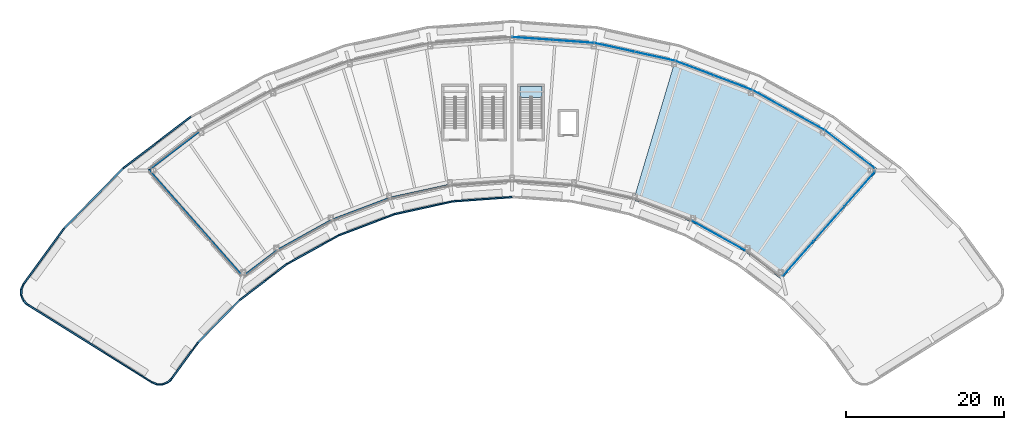
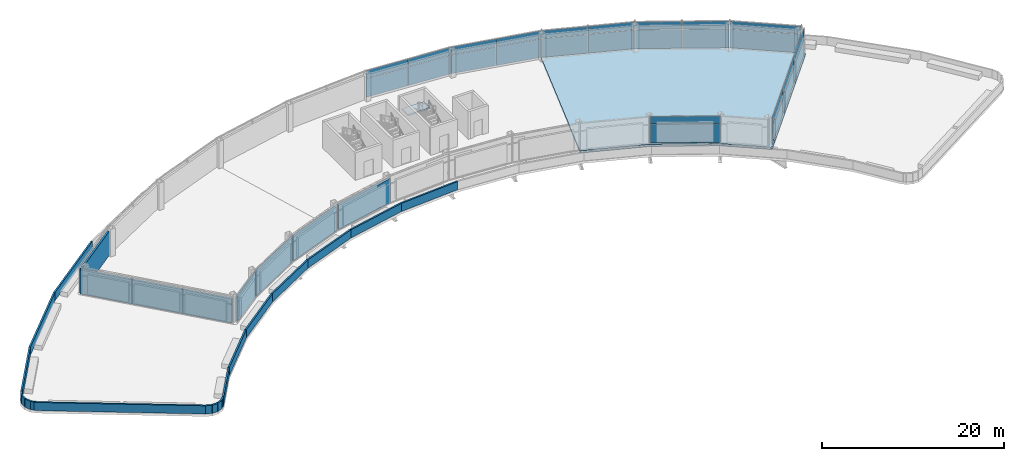
# One storey, part 13 of 17: 27 walls, 26 plates, 2 slabs, 8 elements without a shape of their own.
"""IFC4 building model written with IfcOpenShell, lengths in metres."""

from ifc_helpers import new_model, si_unit, direction, frame, frame_2d, origin, origin_2d, place, context, subcontext, project, spatial, polyline, rectangle, outline, extrude, material, layer, layer_set, type_object, element, aggregate, save


model = new_model("IFC4")

# Units and contexts
model_context = context("Model", 3, precision=1e-05, world=origin(), true_north=direction((0.0, 1.0)))
body_context = subcontext(model_context, "Body", "Model", "MODEL_VIEW")
ifc_project = project(units=[si_unit("LENGTHUNIT", "METRE"), si_unit("AREAUNIT", "SQUARE_METRE"), si_unit("VOLUMEUNIT", "CUBIC_METRE"), si_unit("PLANEANGLEUNIT", "RADIAN"), si_unit("MASSUNIT", "GRAM", prefix="KILO")], contexts=[model_context])

# Site, building, storey
site_placement = place(None, origin())
site = spatial("IfcSite", under=ifc_project, at=site_placement, CompositionType="ELEMENT")
building_placement = place(site_placement, origin())
building = spatial("IfcBuilding", under=site, at=building_placement, Name="Tuul Gate Civic Tower", CompositionType="ELEMENT")
storey_placement = place(building_placement, frame((0.0, 0.0, 360.10009765625)))
storey = spatial("IfcBuildingStorey", under=building, at=storey_placement, Name="Crown tier 1 lower", CompositionType="ELEMENT", Elevation=360.10009765625)

# Curtain wall, plates
ifc_material_1 = material(Name="Aluminium", Category="aluminium")
ifc_layer_1 = layer(ifc_material_1, 0.199951171875)
ifc_layer_set_1 = layer_set([ifc_layer_1], Name="Aluminium")
curtain_wall_type = type_object("IfcCurtainWallType", Name="Curtain wall CW5", PredefinedType="NOTDEFINED", material=ifc_layer_set_1)
curtain_wall_1_placement = place(storey_placement, origin())
curtain_wall_1 = element("IfcCurtainWall", 1, at=curtain_wall_1_placement, inside=storey, type_object=curtain_wall_type, Name="Curtain wall CW5", PredefinedType="NOTDEFINED")
ifc_material_2 = material(Name="Insulated glass", Category="glass")
ifc_layer_2 = layer(ifc_material_2, 0.030029296875)
ifc_layer_set_2 = layer_set([ifc_layer_2], Name="Insulated glass")
plate_type = type_object("IfcPlateType", Name="CW5 panel", PredefinedType="CURTAIN_PANEL", material=ifc_layer_set_2)
plate_1_placement = place(storey_placement, frame((44.91748046875, -1.91162109375, 0.06005859375), z_axis=(0.0, 0.0, 1.0), x_axis=(-0.795630294112, 0.605782498172, 0.0)))
plate_1 = element("IfcPlate", 2, at=plate_1_placement, type_object=plate_type, Name="Panel", PredefinedType="CURTAIN_PANEL", context=body_context, shape_type="SweptSolid", body=[
    extrude(rectangle(XDim=7.854736328125, YDim=0.030029296875, at=origin_2d()), origin(), (0.0, 0.0, 1.0), 2.510009765625),
])
plate_2_placement = place(storey_placement, frame((44.91748046875, -1.91162109375, 2.6298828125), z_axis=(0.0, 0.0, 1.0), x_axis=(-0.795630294112, 0.605782498172, 0.0)))
plate_2 = element("IfcPlate", 3, at=plate_2_placement, type_object=plate_type, Name="Panel", PredefinedType="CURTAIN_PANEL", context=body_context, shape_type="SweptSolid", body=[
    extrude(rectangle(XDim=7.854736328125, YDim=0.030029296875, at=origin_2d()), origin(), (0.0, 0.0, 1.0), 1.010009765625),
])
aggregate(curtain_wall_1, [plate_1, plate_2])

curtain_wall_2_placement = place(storey_placement, origin())
curtain_wall_2 = element("IfcCurtainWall", 4, at=curtain_wall_2_placement, inside=storey, type_object=curtain_wall_type, Name="Curtain wall CW5", PredefinedType="NOTDEFINED")
plate_3_placement = place(storey_placement, frame((39.446044921875, 1.7783203125, 0.06005859375), z_axis=(0.0, 0.0, 1.0), x_axis=(-0.874621640227, 0.484806132848, 0.0)))
plate_3 = element("IfcPlate", 5, at=plate_3_placement, type_object=plate_type, Name="Panel", PredefinedType="CURTAIN_PANEL", context=body_context, shape_type="SweptSolid", body=[
    extrude(rectangle(XDim=5.13671875, YDim=0.030029296875, at=origin_2d()), origin(), (0.0, 0.0, 1.0), 2.510009765625),
])
plate_4_placement = place(storey_placement, frame((39.446044921875, 1.7783203125, 2.6298828125), z_axis=(0.0, 0.0, 1.0), x_axis=(-0.874621640227, 0.484806132848, 0.0)))
plate_4 = element("IfcPlate", 6, at=plate_4_placement, type_object=plate_type, Name="Panel", PredefinedType="CURTAIN_PANEL", context=body_context, shape_type="SweptSolid", body=[
    extrude(rectangle(XDim=5.13671875, YDim=0.030029296875, at=origin_2d()), origin(), (0.0, 0.0, 1.0), 1.010009765625),
])
plate_5_placement = place(storey_placement, frame((34.90087890625, 4.297607421875, 0.06005859375), z_axis=(0.0, 0.0, 1.0), x_axis=(-0.874621640227, 0.484806132848, 0.0)))
plate_5 = element("IfcPlate", 7, at=plate_5_placement, type_object=plate_type, Name="Panel", PredefinedType="CURTAIN_PANEL", context=body_context, shape_type="SweptSolid", body=[
    extrude(rectangle(XDim=5.13671875, YDim=0.030029296875, at=origin_2d()), origin(), (0.0, 0.0, 1.0), 2.510009765625),
])
plate_6_placement = place(storey_placement, frame((34.90087890625, 4.297607421875, 2.6298828125), z_axis=(0.0, 0.0, 1.0), x_axis=(-0.874621640227, 0.484806132848, 0.0)))
plate_6 = element("IfcPlate", 8, at=plate_6_placement, type_object=plate_type, Name="Panel", PredefinedType="CURTAIN_PANEL", context=body_context, shape_type="SweptSolid", body=[
    extrude(rectangle(XDim=5.13671875, YDim=0.030029296875, at=origin_2d()), origin(), (0.0, 0.0, 1.0), 1.010009765625),
])
aggregate(curtain_wall_2, [plate_3, plate_4, plate_5, plate_6])

curtain_wall_3_placement = place(storey_placement, origin())
curtain_wall_3 = element("IfcCurtainWall", 9, at=curtain_wall_3_placement, inside=storey, type_object=curtain_wall_type, Name="Curtain wall CW5", PredefinedType="NOTDEFINED")
plate_7_placement = place(storey_placement, frame((30.143798828125, 6.50146484375, 0.06005859375), z_axis=(0.0, 0.0, 1.0), x_axis=(-0.935362404748, 0.353690785552, 0.0)))
plate_7 = element("IfcPlate", 10, at=plate_7_placement, type_object=plate_type, Name="Panel", PredefinedType="CURTAIN_PANEL", context=body_context, shape_type="SweptSolid", body=[
    extrude(rectangle(XDim=5.13623046875, YDim=0.030029296875, at=origin_2d()), origin(), (0.0, 0.0, 1.0), 2.510009765625),
])
plate_8_placement = place(storey_placement, frame((30.143798828125, 6.50146484375, 2.6298828125), z_axis=(0.0, 0.0, 1.0), x_axis=(-0.935362404748, 0.353690785552, 0.0)))
plate_8 = element("IfcPlate", 11, at=plate_8_placement, type_object=plate_type, Name="Panel", PredefinedType="CURTAIN_PANEL", context=body_context, shape_type="SweptSolid", body=[
    extrude(rectangle(XDim=5.13623046875, YDim=0.030029296875, at=origin_2d()), origin(), (0.0, 0.0, 1.0), 1.010009765625),
])
plate_9_placement = place(storey_placement, frame((25.283203125, 8.33935546875, 0.06005859375), z_axis=(0.0, 0.0, 1.0), x_axis=(-0.935362404748, 0.353690785552, 0.0)))
plate_9 = element("IfcPlate", 12, at=plate_9_placement, type_object=plate_type, Name="Panel", PredefinedType="CURTAIN_PANEL", context=body_context, shape_type="SweptSolid", body=[
    extrude(rectangle(XDim=5.13623046875, YDim=0.030029296875, at=origin_2d()), origin(), (0.0, 0.0, 1.0), 2.510009765625),
])
plate_10_placement = place(storey_placement, frame((25.283203125, 8.33935546875, 2.6298828125), z_axis=(0.0, 0.0, 1.0), x_axis=(-0.935362404748, 0.353690785552, 0.0)))
plate_10 = element("IfcPlate", 13, at=plate_10_placement, type_object=plate_type, Name="Panel", PredefinedType="CURTAIN_PANEL", context=body_context, shape_type="SweptSolid", body=[
    extrude(rectangle(XDim=5.13623046875, YDim=0.030029296875, at=origin_2d()), origin(), (0.0, 0.0, 1.0), 1.010009765625),
])
aggregate(curtain_wall_3, [plate_7, plate_8, plate_9, plate_10])

curtain_wall_4_placement = place(storey_placement, origin())
curtain_wall_4 = element("IfcCurtainWall", 14, at=curtain_wall_4_placement, inside=storey, type_object=curtain_wall_type, Name="Curtain wall CW5", PredefinedType="NOTDEFINED")
plate_11_placement = place(storey_placement, frame((20.258544921875, 9.834716796875, 0.06005859375), z_axis=(0.0, 0.0, 1.0), x_axis=(-0.976554839429, 0.215268775226, 0.0)))
plate_11 = element("IfcPlate", 15, at=plate_11_placement, type_object=plate_type, Name="Panel", PredefinedType="CURTAIN_PANEL", context=body_context, shape_type="SweptSolid", body=[
    extrude(rectangle(XDim=5.135986328125, YDim=0.030029296875, at=origin_2d()), origin(), (0.0, 0.0, 1.0), 2.510009765625),
])
plate_12_placement = place(storey_placement, frame((20.258544921875, 9.834716796875, 2.6298828125), z_axis=(0.0, 0.0, 1.0), x_axis=(-0.976554839429, 0.215268775226, 0.0)))
plate_12 = element("IfcPlate", 16, at=plate_12_placement, type_object=plate_type, Name="Panel", PredefinedType="CURTAIN_PANEL", context=body_context, shape_type="SweptSolid", body=[
    extrude(rectangle(XDim=5.135986328125, YDim=0.030029296875, at=origin_2d()), origin(), (0.0, 0.0, 1.0), 1.010009765625),
])
plate_13_placement = place(storey_placement, frame((15.184326171875, 10.953369140625, 0.06005859375), z_axis=(0.0, 0.0, 1.0), x_axis=(-0.976554839429, 0.215268775226, 0.0)))
plate_13 = element("IfcPlate", 17, at=plate_13_placement, type_object=plate_type, Name="Panel", PredefinedType="CURTAIN_PANEL", context=body_context, shape_type="SweptSolid", body=[
    extrude(rectangle(XDim=5.135986328125, YDim=0.030029296875, at=origin_2d()), origin(), (0.0, 0.0, 1.0), 2.510009765625),
])
plate_14_placement = place(storey_placement, frame((15.184326171875, 10.953369140625, 2.6298828125), z_axis=(0.0, 0.0, 1.0), x_axis=(-0.976554839429, 0.215268775226, 0.0)))
plate_14 = element("IfcPlate", 18, at=plate_14_placement, type_object=plate_type, Name="Panel", PredefinedType="CURTAIN_PANEL", context=body_context, shape_type="SweptSolid", body=[
    extrude(rectangle(XDim=5.135986328125, YDim=0.030029296875, at=origin_2d()), origin(), (0.0, 0.0, 1.0), 1.010009765625),
])
aggregate(curtain_wall_4, [plate_11, plate_12, plate_13, plate_14])

curtain_wall_5_placement = place(storey_placement, origin())
curtain_wall_5 = element("IfcCurtainWall", 19, at=curtain_wall_5_placement, inside=storey, type_object=curtain_wall_type, Name="Curtain wall CW5", PredefinedType="NOTDEFINED")
plate_15_placement = place(storey_placement, frame((9.99658203125, 11.708740234375, 0.06005859375), z_axis=(0.0, 0.0, 1.0), x_axis=(-0.997388292751, 0.072225988978, 0.0)))
plate_15 = element("IfcPlate", 20, at=plate_15_placement, type_object=plate_type, Name="Panel", PredefinedType="CURTAIN_PANEL", context=body_context, shape_type="SweptSolid", body=[
    extrude(rectangle(XDim=5.13671875, YDim=0.030029296875, at=origin_2d()), origin(), (0.0, 0.0, 1.0), 2.510009765625),
])
plate_16_placement = place(storey_placement, frame((9.99658203125, 11.708740234375, 2.6298828125), z_axis=(0.0, 0.0, 1.0), x_axis=(-0.997388292751, 0.072225988978, 0.0)))
plate_16 = element("IfcPlate", 21, at=plate_16_placement, type_object=plate_type, Name="Panel", PredefinedType="CURTAIN_PANEL", context=body_context, shape_type="SweptSolid", body=[
    extrude(rectangle(XDim=5.13671875, YDim=0.030029296875, at=origin_2d()), origin(), (0.0, 0.0, 1.0), 1.010009765625),
])
plate_17_placement = place(storey_placement, frame((4.8134765625, 12.084228515625, 0.06005859375), z_axis=(0.0, 0.0, 1.0), x_axis=(-0.997388292751, 0.072225988978, 0.0)))
plate_17 = element("IfcPlate", 22, at=plate_17_placement, type_object=plate_type, Name="Panel", PredefinedType="CURTAIN_PANEL", context=body_context, shape_type="SweptSolid", body=[
    extrude(rectangle(XDim=5.13671875, YDim=0.030029296875, at=origin_2d()), origin(), (0.0, 0.0, 1.0), 2.510009765625),
])
plate_18_placement = place(storey_placement, frame((4.8134765625, 12.084228515625, 2.6298828125), z_axis=(0.0, 0.0, 1.0), x_axis=(-0.997388292751, 0.072225988978, 0.0)))
plate_18 = element("IfcPlate", 23, at=plate_18_placement, type_object=plate_type, Name="Panel", PredefinedType="CURTAIN_PANEL", context=body_context, shape_type="SweptSolid", body=[
    extrude(rectangle(XDim=5.13671875, YDim=0.030029296875, at=origin_2d()), origin(), (0.0, 0.0, 1.0), 1.010009765625),
])
aggregate(curtain_wall_5, [plate_15, plate_16, plate_17, plate_18])

curtain_wall_6_placement = place(storey_placement, origin())
curtain_wall_6 = element("IfcCurtainWall", 24, at=curtain_wall_6_placement, inside=storey, type_object=curtain_wall_type, Name="Curtain wall CW5", PredefinedType="NOTDEFINED")
plate_19_placement = place(storey_placement, frame((28.35009765625, -12.880615234375, 0.06005859375), z_axis=(0.0, 0.0, 1.0), x_axis=(0.874633631917, -0.484784498431, 0.0)))
plate_19 = element("IfcPlate", 25, at=plate_19_placement, type_object=plate_type, Name="Panel", PredefinedType="CURTAIN_PANEL", context=body_context, shape_type="SweptSolid", body=[
    extrude(rectangle(XDim=7.69580078125, YDim=0.030029296875, at=origin_2d()), origin(), (0.0, 0.0, 1.0), 2.510009765625),
])
plate_20_placement = place(storey_placement, frame((28.35009765625, -12.880615234375, 2.6298828125), z_axis=(0.0, 0.0, 1.0), x_axis=(0.874633631917, -0.484784498431, 0.0)))
plate_20 = element("IfcPlate", 26, at=plate_20_placement, type_object=plate_type, Name="Panel", PredefinedType="CURTAIN_PANEL", context=body_context, shape_type="SweptSolid", body=[
    extrude(rectangle(XDim=7.69580078125, YDim=0.030029296875, at=origin_2d()), origin(), (0.0, 0.0, 1.0), 1.010009765625),
])
aggregate(curtain_wall_6, [plate_19, plate_20])

curtain_wall_7_placement = place(storey_placement, origin())
curtain_wall_7 = element("IfcCurtainWall", 27, at=curtain_wall_7_placement, inside=storey, type_object=curtain_wall_type, Name="Curtain wall CW5", PredefinedType="NOTDEFINED")
plate_21_placement = place(storey_placement, frame((38.412841796875, -15.778564453125, 0.06005859375), z_axis=(0.0, 0.0, 1.0), x_axis=(0.661672241153, 0.749793201681, 0.0)))
plate_21 = element("IfcPlate", 28, at=plate_21_placement, type_object=plate_type, Name="Panel", PredefinedType="CURTAIN_PANEL", context=body_context, shape_type="SweptSolid", body=[
    extrude(rectangle(XDim=5.7919921875, YDim=0.030029296875, at=origin_2d()), origin(), (0.0, 0.0, 1.0), 2.510009765625),
])
plate_22_placement = place(storey_placement, frame((38.412841796875, -15.778564453125, 2.6298828125), z_axis=(0.0, 0.0, 1.0), x_axis=(0.661672241153, 0.749793201681, 0.0)))
plate_22 = element("IfcPlate", 29, at=plate_22_placement, type_object=plate_type, Name="Panel", PredefinedType="CURTAIN_PANEL", context=body_context, shape_type="SweptSolid", body=[
    extrude(rectangle(XDim=5.7919921875, YDim=0.030029296875, at=origin_2d()), origin(), (0.0, 0.0, 1.0), 1.010009765625),
])
plate_23_placement = place(storey_placement, frame((42.294921875, -11.37939453125, 0.06005859375), z_axis=(0.0, 0.0, 1.0), x_axis=(0.661672241153, 0.749793201681, 0.0)))
plate_23 = element("IfcPlate", 30, at=plate_23_placement, type_object=plate_type, Name="Panel", PredefinedType="CURTAIN_PANEL", context=body_context, shape_type="SweptSolid", body=[
    extrude(rectangle(XDim=5.822021484375, YDim=0.030029296875, at=origin_2d()), origin(), (0.0, 0.0, 1.0), 2.510009765625),
])
plate_24_placement = place(storey_placement, frame((42.294921875, -11.37939453125, 2.6298828125), z_axis=(0.0, 0.0, 1.0), x_axis=(0.661672241153, 0.749793201681, 0.0)))
plate_24 = element("IfcPlate", 31, at=plate_24_placement, type_object=plate_type, Name="Panel", PredefinedType="CURTAIN_PANEL", context=body_context, shape_type="SweptSolid", body=[
    extrude(rectangle(XDim=5.822021484375, YDim=0.030029296875, at=origin_2d()), origin(), (0.0, 0.0, 1.0), 1.010009765625),
])
plate_25_placement = place(storey_placement, frame((46.177001953125, -6.98046875, 0.06005859375), z_axis=(0.0, 0.0, 1.0), x_axis=(0.661672241153, 0.749793201681, 0.0)))
plate_25 = element("IfcPlate", 32, at=plate_25_placement, type_object=plate_type, Name="Panel", PredefinedType="CURTAIN_PANEL", context=body_context, shape_type="SweptSolid", body=[
    extrude(rectangle(XDim=5.7919921875, YDim=0.030029296875, at=origin_2d()), origin(), (0.0, 0.0, 1.0), 2.510009765625),
])
plate_26_placement = place(storey_placement, frame((46.177001953125, -6.98046875, 2.6298828125), z_axis=(0.0, 0.0, 1.0), x_axis=(0.661672241153, 0.749793201681, 0.0)))
plate_26 = element("IfcPlate", 33, at=plate_26_placement, type_object=plate_type, Name="Panel", PredefinedType="CURTAIN_PANEL", context=body_context, shape_type="SweptSolid", body=[
    extrude(rectangle(XDim=5.7919921875, YDim=0.030029296875, at=origin_2d()), origin(), (0.0, 0.0, 1.0), 1.010009765625),
])
aggregate(curtain_wall_7, [plate_21, plate_22, plate_23, plate_24, plate_25, plate_26])

# Stair, slab
ifc_material_3 = material(Name="Concrete C40/50", Category="concrete")
stair_type = type_object("IfcStairType", Name="Exit stair", PredefinedType="HALF_TURN_STAIR", material=ifc_material_3)
stair_placement = place(storey_placement, origin())
stair = element("IfcStair", 34, at=stair_placement, inside=storey, type_object=stair_type, Name="Crown tier 1 lower ST-7", PredefinedType="HALF_TURN_STAIR")
ifc_material_4 = material(Name="Concrete C40/50", Category="concrete")
ifc_layer_3 = layer(ifc_material_4, 0.199951171875)
ifc_layer_set_3 = layer_set([ifc_layer_3], Name="Concrete C40/50")
slab_type_1 = type_object("IfcSlabType", Name="Exit stair landing", PredefinedType="LANDING", material=ifc_layer_set_3)
slab_1_placement = place(storey_placement, frame((0.0, 0.0, 1.7998046875)))
slab_1 = element("IfcSlab", 35, at=slab_1_placement, type_object=slab_type_1, Name="ST-7 landing 1", PredefinedType="LANDING", context=body_context, shape_type="SweptSolid", body=[
    extrude(outline(polyline([(6.000732421875, 4.649169921875), (3.19921875, 4.649169921875), (3.19921875, 6.000732421875), (6.000732421875, 6.000732421875), (6.000732421875, 4.649169921875)])), origin(), (0.0, 0.0, 1.0), 0.2001953125),
])
aggregate(stair, [slab_1])

# Slab
ifc_material_5 = material(Name="Concrete C35/45", Category="concrete")
ifc_layer_4 = layer(ifc_material_5, 0.300048828125)
ifc_layer_set_4 = layer_set([ifc_layer_4], Name="Concrete C35/45")
slab_type_2 = type_object("IfcSlabType", Name="STR-FLOOR-SLAB-300", PredefinedType="FLOOR", material=ifc_layer_set_4)
slab_2_placement = place(storey_placement, frame((0.0, 0.0, -0.300048828125)))
element("IfcSlab", 36, at=slab_2_placement, inside=storey, type_object=slab_type_2, Name="Crown tier 1 lower/slab/E", PredefinedType="FLOOR", context=body_context, shape_type="SweptSolid", body=[
    extrude(outline(polyline([(36.387939453125, -18.26708984375), (36.47705078125, -18.198974609375), (48.35205078125, -4.742919921875), (48.412109375, -4.635986328125), (48.426025390625, -4.514892578125), (48.388916015625, -4.39794921875), (48.30908203125, -4.304931640625), (41.826904296875, 0.6298828125), (32.666015625, 5.7080078125), (22.867919921875, 9.4130859375), (17.577880859375, -8.364990234375), (24.868896484375, -11.1220703125), (31.68603515625, -14.90087890625), (36.070068359375, -18.239013671875), (36.169921875, -18.2890625), (36.281005859375, -18.299072265625), (36.387939453125, -18.26708984375)])), origin(), (0.0, 0.0, 1.0), 0.300048828125),
])

# Walls
ifc_material_6 = material(Name="Concrete C40/50", Category="concrete")
ifc_layer_5 = layer(ifc_material_6, 0.199951171875)
ifc_layer_set_5 = layer_set([ifc_layer_5], Name="Concrete C40/50")
wall_type_1 = type_object("IfcWallType", Name="Crown parapet", PredefinedType="PARAPET", material=ifc_layer_set_5)
wall_1_placement = place(storey_placement, frame((-38.456787109375, 2.18310546875, 0.0), z_axis=(0.0, 0.0, 1.0), x_axis=(-0.795640342623, -0.605769300304, 0.0)))
element("IfcWall", 37, at=wall_1_placement, inside=storey, type_object=wall_type_1, Name="Parapet", PredefinedType="PARAPET", context=body_context, shape_type="SweptSolid", body=[
    extrude(rectangle(XDim=10.7431640625, YDim=0.199951171875, at=frame_2d((5.37158203125, 0.0))), origin(), (0.0, 0.0, 1.0), 1.099853515625),
])
wall_2_placement = place(storey_placement, frame((-47.00439453125, -4.32470703125, 0.0), z_axis=(0.0, 0.0, 1.0), x_axis=(-0.700003468403, -0.714139443123, 0.0)))
element("IfcWall", 38, at=wall_2_placement, inside=storey, type_object=wall_type_1, Name="Parapet", PredefinedType="PARAPET", context=body_context, shape_type="SweptSolid", body=[
    extrude(rectangle(XDim=10.742431640625, YDim=0.199951171875, at=frame_2d((5.37109375, 0.0))), origin(), (0.0, 0.0, 1.0), 1.099853515625),
])
wall_3_placement = place(storey_placement, frame((-54.524169921875, -11.996337890625, 0.0), z_axis=(0.0, 0.0, 1.0), x_axis=(-0.589798442431, -0.807550492109, 0.0)))
element("IfcWall", 39, at=wall_3_placement, inside=storey, type_object=wall_type_1, Name="Parapet", PredefinedType="PARAPET", context=body_context, shape_type="SweptSolid", body=[
    extrude(rectangle(XDim=8.587158203125, YDim=0.199951171875, at=frame_2d((4.29345703125, 0.0))), origin(), (0.0, 0.0, 1.0), 1.099853515625),
])
wall_4_placement = place(storey_placement, frame((-59.5888671875, -18.930908203125, 0.0), z_axis=(0.0, 0.0, 1.0), x_axis=(-0.412870244651, -0.91078985561, 0.0)))
element("IfcWall", 40, at=wall_4_placement, inside=storey, type_object=wall_type_1, Name="Parapet", PredefinedType="PARAPET", context=body_context, shape_type="SweptSolid", body=[
    extrude(rectangle(XDim=0.769287109375, YDim=0.199951171875, at=frame_2d((0.384765625, 0.0))), origin(), (0.0, 0.0, 1.0), 1.099853515625),
])
wall_5_placement = place(storey_placement, frame((-59.906494140625, -19.631591796875, 0.0), z_axis=(0.0, 0.0, 1.0), x_axis=(-0.014580433083, -0.999893699836, 0.0)))
element("IfcWall", 41, at=wall_5_placement, inside=storey, type_object=wall_type_1, Name="Parapet", PredefinedType="PARAPET", context=body_context, shape_type="SweptSolid", body=[
    extrude(rectangle(XDim=0.75341796875, YDim=0.199951171875, at=frame_2d((0.376708984375, 0.0))), origin(), (0.0, 0.0, 1.0), 1.099853515625),
])
wall_6_placement = place(storey_placement, frame((-59.91748046875, -20.385009765625, 0.0), z_axis=(0.0, 0.0, 1.0), x_axis=(0.385811143559, -0.922577780735, 0.0)))
element("IfcWall", 42, at=wall_6_placement, inside=storey, type_object=wall_type_1, Name="Parapet", PredefinedType="PARAPET", context=body_context, shape_type="SweptSolid", body=[
    extrude(rectangle(XDim=0.753662109375, YDim=0.199951171875, at=frame_2d((0.376953125, 0.0))), origin(), (0.0, 0.0, 1.0), 1.099853515625),
])
wall_7_placement = place(storey_placement, frame((-59.626708984375, -21.080322265625, 0.0), z_axis=(0.0, 0.0, 1.0), x_axis=(0.722186485961, -0.69169840212, 0.0)))
element("IfcWall", 43, at=wall_7_placement, inside=storey, type_object=wall_type_1, Name="Parapet", PredefinedType="PARAPET", context=body_context, shape_type="SweptSolid", body=[
    extrude(rectangle(XDim=0.768798828125, YDim=0.199951171875, at=frame_2d((0.38427734375, 0.0))), origin(), (0.0, 0.0, 1.0), 1.099853515625),
])
wall_8_placement = place(storey_placement, frame((-59.404541015625, -21.40380859375, 0.0), z_axis=(0.0, 0.0, 1.0), x_axis=(0.848053418798, -0.529910746131, 0.0)))
element("IfcWall", 44, at=wall_8_placement, inside=storey, type_object=wall_type_1, Name="Parapet", PredefinedType="PARAPET", context=body_context, shape_type="SweptSolid", body=[
    extrude(rectangle(XDim=18.91162109375, YDim=0.199951171875, at=frame_2d((9.455810546875, 0.0))), origin(), (0.0, 0.0, 1.0), 1.099853515625),
])
wall_9_placement = place(storey_placement, frame((-43.366455078125, -31.42529296875, 0.0), z_axis=(0.0, 0.0, 1.0), x_axis=(0.931913281541, -0.362681176361, 0.0)))
element("IfcWall", 45, at=wall_9_placement, inside=storey, type_object=wall_type_1, Name="Parapet", PredefinedType="PARAPET", context=body_context, shape_type="SweptSolid", body=[
    extrude(rectangle(XDim=0.7021484375, YDim=0.199951171875, at=frame_2d((0.35107421875, 0.0))), origin(), (0.0, 0.0, 1.0), 1.099853515625),
])
wall_10_placement = place(storey_placement, frame((-42.712158203125, -31.679931640625, 0.0), z_axis=(0.0, 0.0, 1.0), x_axis=(0.999995973226, 0.002837874348, 0.0)))
element("IfcWall", 46, at=wall_10_placement, inside=storey, type_object=wall_type_1, Name="Parapet", PredefinedType="PARAPET", context=body_context, shape_type="SweptSolid", body=[
    extrude(rectangle(XDim=0.688232421875, YDim=0.199951171875, at=frame_2d((0.34423828125, 0.0))), origin(), (0.0, 0.0, 1.0), 1.099853515625),
])
wall_11_placement = place(storey_placement, frame((-42.02392578125, -31.677978515625, 0.0), z_axis=(0.0, 0.0, 1.0), x_axis=(0.929355422999, 0.369186264293, 0.0)))
element("IfcWall", 47, at=wall_11_placement, inside=storey, type_object=wall_type_1, Name="Parapet", PredefinedType="PARAPET", context=body_context, shape_type="SweptSolid", body=[
    extrude(rectangle(XDim=0.687744140625, YDim=0.199951171875, at=frame_2d((0.34375, 0.0))), origin(), (0.0, 0.0, 1.0), 1.099853515625),
])
wall_12_placement = place(storey_placement, frame((-41.384765625, -31.424072265625, 0.0), z_axis=(0.0, 0.0, 1.0), x_axis=(0.730176325427, 0.68325876049, 0.0)))
element("IfcWall", 48, at=wall_12_placement, inside=storey, type_object=wall_type_1, Name="Parapet", PredefinedType="PARAPET", context=body_context, shape_type="SweptSolid", body=[
    extrude(rectangle(XDim=0.702392578125, YDim=0.199951171875, at=frame_2d((0.35107421875, 0.0))), origin(), (0.0, 0.0, 1.0), 1.099853515625),
])
wall_13_placement = place(storey_placement, frame((-41.113525390625, -31.27490234375, 0.0), z_axis=(0.0, 0.0, 1.0), x_axis=(0.589835486131, 0.80752343576, 0.0)))
element("IfcWall", 49, at=wall_13_placement, inside=storey, type_object=wall_type_1, Name="Parapet", PredefinedType="PARAPET", context=body_context, shape_type="SweptSolid", body=[
    extrude(rectangle(XDim=6.050537109375, YDim=0.199951171875, at=frame_2d((3.025390625, 0.0))), origin(), (0.0, 0.0, 1.0), 1.099853515625),
])
wall_14_placement = place(storey_placement, frame((-37.544677734375, -26.388671875, 0.0), z_axis=(0.0, 0.0, 1.0), x_axis=(0.699934539012, 0.714207001574, 0.0)))
element("IfcWall", 50, at=wall_14_placement, inside=storey, type_object=wall_type_1, Name="Parapet", PredefinedType="PARAPET", context=body_context, shape_type="SweptSolid", body=[
    extrude(rectangle(XDim=7.526611328125, YDim=0.199951171875, at=frame_2d((3.76318359375, 0.0))), origin(), (0.0, 0.0, 1.0), 1.099853515625),
])
wall_15_placement = place(storey_placement, frame((-32.276611328125, -21.01318359375, 0.0), z_axis=(0.0, 0.0, 1.0), x_axis=(0.795650592846, 0.605755837036, 0.0)))
element("IfcWall", 51, at=wall_15_placement, inside=storey, type_object=wall_type_1, Name="Parapet", PredefinedType="PARAPET", context=body_context, shape_type="SweptSolid", body=[
    extrude(rectangle(XDim=7.5263671875, YDim=0.199951171875, at=frame_2d((3.76318359375, 0.0))), origin(), (0.0, 0.0, 1.0), 1.099853515625),
])
wall_16_placement = place(storey_placement, frame((-26.288330078125, -16.4541015625, 0.0), z_axis=(0.0, 0.0, 1.0), x_axis=(0.874638814648, 0.484775147786, 0.0)))
element("IfcWall", 52, at=wall_16_placement, inside=storey, type_object=wall_type_1, Name="Parapet", PredefinedType="PARAPET", context=body_context, shape_type="SweptSolid", body=[
    extrude(rectangle(XDim=7.526611328125, YDim=0.199951171875, at=frame_2d((3.76318359375, 0.0))), origin(), (0.0, 0.0, 1.0), 1.099853515625),
])
wall_17_placement = place(storey_placement, frame((-19.705322265625, -12.805419921875, 0.0), z_axis=(0.0, 0.0, 1.0), x_axis=(0.935347174928, 0.353731059358, 0.0)))
element("IfcWall", 53, at=wall_17_placement, inside=storey, type_object=wall_type_1, Name="Parapet", PredefinedType="PARAPET", context=body_context, shape_type="SweptSolid", body=[
    extrude(rectangle(XDim=7.527099609375, YDim=0.199951171875, at=frame_2d((3.763671875, 0.0))), origin(), (0.0, 0.0, 1.0), 1.099853515625),
])
for number, where, z_axis, x_axis, name in (
    (54, (-12.664794921875, -10.142822265625, 0.0), (0.0, 0.0, 1.0), (0.97657171355, 0.215192212439, 0.0), "Parapet"),
    (55, (-5.314697265625, -8.523193359375, 0.0), (0.0, 0.0, 1.0), (0.99738723542, 0.072240588457, 0.0), "Parapet"),
):
    element("IfcWall", number, at=place(storey_placement, frame(where, z_axis=z_axis, x_axis=x_axis)), inside=storey, type_object=wall_type_1, Name=name, PredefinedType="PARAPET", context=body_context, shape_type="SweptSolid", body=[
        extrude(rectangle(XDim=7.5263671875, YDim=0.199951171875, at=frame_2d((3.76318359375, 0.0))), origin(), (0.0, 0.0, 1.0), 1.099853515625),
    ])
ifc_material_7 = material(Name="Precast concrete C40/50", Category="concrete")
ifc_layer_6 = layer(ifc_material_7, 0.25)
ifc_layer_set_6 = layer_set([ifc_layer_6], Name="Precast concrete C40/50")
wall_type_2 = type_object("IfcWallType", Name="External wall", PredefinedType="STANDARD", material=ifc_layer_set_6)
wall_18_placement = place(storey_placement, frame((-37.4140625, 0.306640625, 0.0), z_axis=(0.0, 0.0, 1.0), x_axis=(-0.795621506861, -0.605794039109, 0.0)))
element("IfcWall", 56, at=wall_18_placement, inside=storey, type_object=wall_type_2, Name="External wall", PredefinedType="STANDARD", context=body_context, shape_type="SweptSolid", body=[
    extrude(rectangle(XDim=8.0009765625, YDim=0.25, at=frame_2d((4.00048828125, 0.0))), origin(), (0.0, 0.0, 1.0), 3.25),
])
wall_19_placement = place(storey_placement, frame((-43.77978515625, -4.540283203125, 0.0), z_axis=(0.0, 0.0, 1.0), x_axis=(0.661693466009, -0.749774470785, 0.0)))
element("IfcWall", 57, at=wall_19_placement, inside=storey, type_object=wall_type_2, Name="External wall", PredefinedType="STANDARD", context=body_context, shape_type="SweptSolid", body=[
    extrude(rectangle(XDim=6.070068359375, YDim=0.25, at=frame_2d((3.03515625, 0.0))), origin(), (0.0, 0.0, 1.0), 3.25),
])
wall_20_placement = place(storey_placement, frame((-39.76318359375, -9.091552734375, 0.0), z_axis=(0.0, 0.0, 1.0), x_axis=(0.661651837628, -0.749811206747, 0.0)))
element("IfcWall", 58, at=wall_20_placement, inside=storey, type_object=wall_type_2, Name="External wall", PredefinedType="STANDARD", context=body_context, shape_type="SweptSolid", body=[
    extrude(rectangle(XDim=5.882080078125, YDim=0.25, at=frame_2d((2.94091796875, 0.0))), origin(), (0.0, 0.0, 1.0), 3.25),
])
wall_21_placement = place(storey_placement, frame((-35.871337890625, -13.501953125, 0.0), z_axis=(0.0, 0.0, 1.0), x_axis=(0.661694213402, -0.749773811193, 0.0)))
element("IfcWall", 59, at=wall_21_placement, inside=storey, type_object=wall_type_2, Name="External wall", PredefinedType="STANDARD", context=body_context, shape_type="SweptSolid", body=[
    extrude(rectangle(XDim=5.673828125, YDim=0.25, at=frame_2d((2.8369140625, 0.0))), origin(), (0.0, 0.0, 1.0), 3.25),
])
wall_22_placement = place(storey_placement, frame((-31.51708984375, -17.764404296875, 0.0), z_axis=(0.0, 0.0, 1.0), x_axis=(0.795659653805, 0.605743935427, 0.0)))
element("IfcWall", 60, at=wall_22_placement, inside=storey, type_object=wall_type_2, Name="External wall", PredefinedType="STANDARD", context=body_context, shape_type="SweptSolid", body=[
    extrude(rectangle(XDim=5.039306640625, YDim=0.25, at=frame_2d((2.51953125, 0.0))), origin(), (0.0, 0.0, 1.0), 3.25),
])
wall_23_placement = place(storey_placement, frame((-27.3310546875, -14.602783203125, 0.0), z_axis=(0.0, 0.0, 1.0), x_axis=(0.87462952543, 0.484791907159, 0.0)))
element("IfcWall", 61, at=wall_23_placement, inside=storey, type_object=wall_type_2, Name="External wall", PredefinedType="STANDARD", context=body_context, shape_type="SweptSolid", body=[
    extrude(rectangle(XDim=7.6259765625, YDim=0.25, at=frame_2d((3.81298828125, 0.0))), origin(), (0.0, 0.0, 1.0), 3.25),
])
wall_24_placement = place(storey_placement, frame((-20.43798828125, -10.810791015625, 0.0), z_axis=(0.0, 0.0, 1.0), x_axis=(0.935336881656, 0.353758275967, 0.0)))
element("IfcWall", 62, at=wall_24_placement, inside=storey, type_object=wall_type_2, Name="External wall", PredefinedType="STANDARD", context=body_context, shape_type="SweptSolid", body=[
    extrude(rectangle(XDim=7.591552734375, YDim=0.25, at=frame_2d((3.7958984375, 0.0))), origin(), (0.0, 0.0, 1.0), 3.25),
])
wall_25_placement = place(storey_placement, frame((-13.06591796875, -8.055419921875, 0.0), z_axis=(0.0, 0.0, 1.0), x_axis=(0.977090923428, 0.212822290551, 0.0)))
element("IfcWall", 63, at=wall_25_placement, inside=storey, type_object=wall_type_2, Name="External wall", PredefinedType="STANDARD", context=body_context, shape_type="SweptSolid", body=[
    extrude(rectangle(XDim=7.718017578125, YDim=0.25, at=frame_2d((3.85888671875, 0.0))), origin(), (0.0, 0.0, 1.0), 3.25),
])

save(model, "model.ifc")
